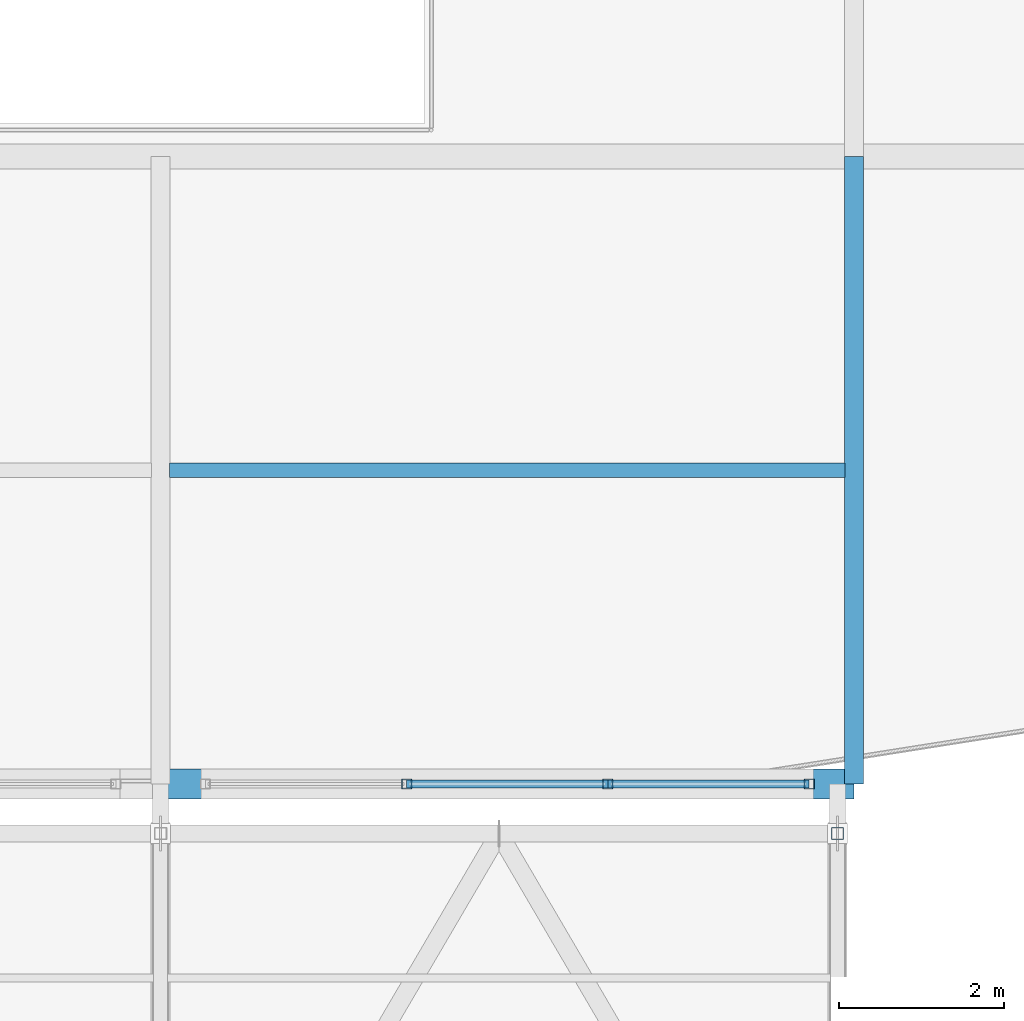
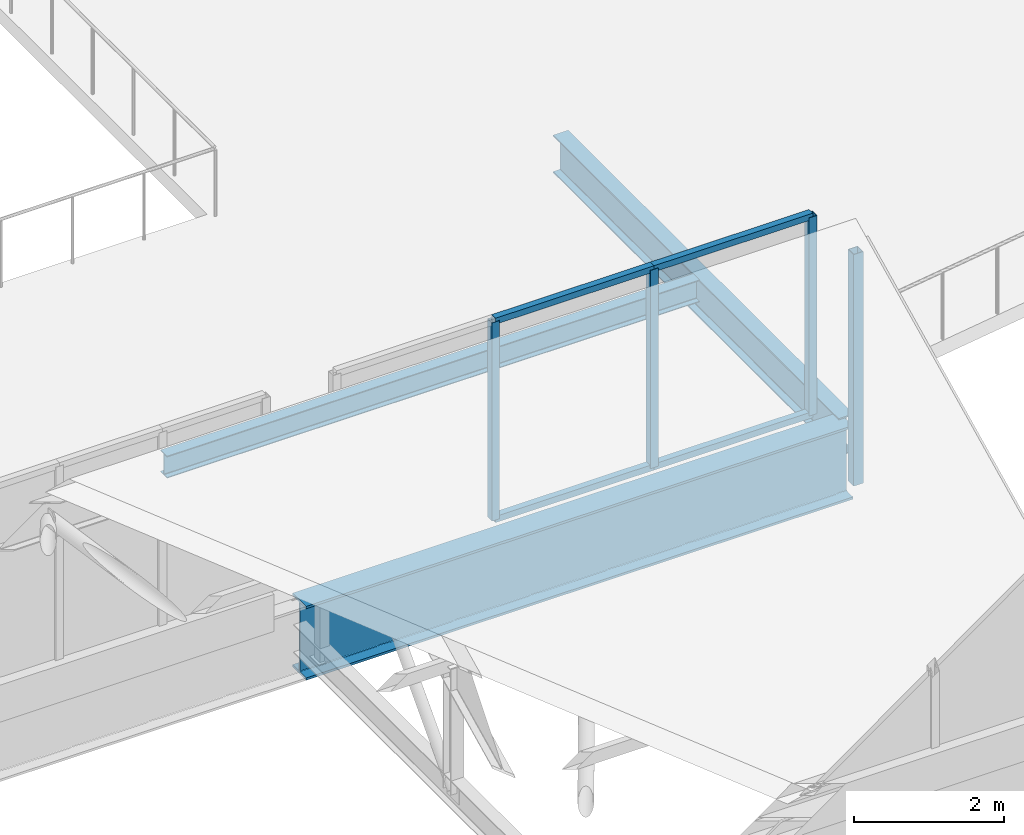
# One storey, part 38 of 57: 8 members, 3 beams, 1 element without a shape of its own.
"""IFC4 building model written with IfcOpenShell, lengths in metres."""

from ifc_helpers import new_model, si_unit, direction, frame, origin, origin_2d, place, context, subcontext, project, spatial, hollow_rectangle, i_section, extrude, material, material_profile, profile_set, type_object, element, aggregate, save


model = new_model("IFC4")

# Units and contexts
model_context = context("Model", 3, precision=1e-05, world=origin(), true_north=direction((0.0, 1.0)))
body_context = subcontext(model_context, "Body", "Model", "MODEL_VIEW")
ifc_project = project(units=[si_unit("LENGTHUNIT", "METRE"), si_unit("AREAUNIT", "SQUARE_METRE"), si_unit("VOLUMEUNIT", "CUBIC_METRE"), si_unit("PLANEANGLEUNIT", "RADIAN"), si_unit("MASSUNIT", "GRAM", prefix="KILO")], contexts=[model_context])

# Site, building, storey
site_placement = place(None, origin())
site = spatial("IfcSite", under=ifc_project, at=site_placement, CompositionType="ELEMENT")
building_placement = place(site_placement, origin())
building = spatial("IfcBuilding", under=site, at=building_placement, Name="Zuvorla Pavilion Media Centre", CompositionType="ELEMENT")
storey_placement = place(building_placement, frame((0.0, 0.0, 18.0)))
storey = spatial("IfcBuildingStorey", under=building, at=storey_placement, Name="L04", CompositionType="ELEMENT", Elevation=18.0)

# Beams
ifc_material_1 = material(Name="Steel S355", Category="steel")
ifc_material_profile_1 = material_profile(ifc_material_1, i_section(OverallWidth=0.360107421875, OverallDepth=1.199951171875, WebThickness=0.02001953125, FlangeThickness=0.0380859375, FilletRadius=0.02392578125, at=origin_2d()), Name="PG 1200x360x38")
ifc_profile_set_1 = profile_set([ifc_material_profile_1], Name="Steel S355")
beam_type_1 = type_object("IfcBeamType", Name="BM-PG1200", PredefinedType="BEAM", material=ifc_profile_set_1)
beam_1_placement = place(storey_placement, frame((150.800048828125, 44.0, -0.887939453125), z_axis=(1.0, 0.0, 0.0), x_axis=(0.0, 1.0, 0.0)))
element("IfcBeam", 1, at=beam_1_placement, inside=storey, type_object=beam_type_1, Name="L04 beam B01 1831", PredefinedType="BEAM", context=body_context, shape_type="SweptSolid", body=[
    extrude(i_section(OverallWidth=0.360107421875, OverallDepth=1.199951171875, WebThickness=0.02001953125, FlangeThickness=0.0380859375, FilletRadius=0.02392578125, at=origin_2d()), origin(), (0.0, 0.0, 1.0), 8.39990234375),
])
ifc_material_profile_2 = material_profile(ifc_material_1, i_section(OverallWidth=0.172119140625, OverallDepth=0.35791015625, WebThickness=0.008056640625, FlangeThickness=0.012939453125, FilletRadius=0.01025390625, at=origin_2d()), Name="UB 356x171x57")
ifc_profile_set_2 = profile_set([ifc_material_profile_2], Name="Steel S355")
beam_type_2 = type_object("IfcBeamType", Name="BM-UB356", PredefinedType="JOIST", material=ifc_profile_set_2)
beam_2_placement = place(storey_placement, frame((150.909423828125, 47.800048828125, -0.427001953125), z_axis=(1.0, 0.0, 0.0), x_axis=(0.0, 1.0, 0.0)))
element("IfcBeam", 2, at=beam_2_placement, inside=storey, type_object=beam_type_2, Name="L04 joist J03 1533", PredefinedType="JOIST", context=body_context, shape_type="SweptSolid", body=[
    extrude(i_section(OverallWidth=0.172119140625, OverallDepth=0.35791015625, WebThickness=0.008056640625, FlangeThickness=0.012939453125, FilletRadius=0.01025390625, at=origin_2d()), origin(), (0.0, 0.0, 1.0), 8.18115234375),
])
ifc_material_profile_3 = material_profile(ifc_material_1, i_section(OverallWidth=0.22900390625, OverallDepth=0.6123046875, WebThickness=0.011962890625, FlangeThickness=0.01953125, FilletRadius=0.0126953125, at=origin_2d()), Name="UB 610x229x125")
ifc_profile_set_3 = profile_set([ifc_material_profile_3], Name="Steel S355")
beam_type_3 = type_object("IfcBeamType", Name="BM-UB610", PredefinedType="BEAM", material=ifc_profile_set_3)
beam_3_placement = place(storey_placement, frame((159.199951171875, 44.0, -0.55419921875), z_axis=(0.0, 1.0, 0.0), x_axis=(-1.0, 0.0, 0.0)))
element("IfcBeam", 3, at=beam_3_placement, inside=storey, type_object=beam_type_3, Name="L04 beam B07 1466", PredefinedType="BEAM", context=body_context, shape_type="SweptSolid", body=[
    extrude(i_section(OverallWidth=0.22900390625, OverallDepth=0.6123046875, WebThickness=0.011962890625, FlangeThickness=0.01953125, FilletRadius=0.0126953125, at=origin_2d()), origin(), (0.0, 0.0, 1.0), 7.60009765625),
])

# Curtain wall, members
ifc_material_2 = material(Name="Unitised anodised aluminium and solar glass curtain wall", Category="aluminium")
curtain_wall_type = type_object("IfcCurtainWallType", Name="CW-SYS-97", PredefinedType="USERDEFINED", material=ifc_material_2)
curtain_wall_placement = place(storey_placement, origin())
curtain_wall = element("IfcCurtainWall", 4, at=curtain_wall_placement, inside=storey, type_object=curtain_wall_type, Name="L04 curtain wall CW97 251", ObjectType="CURTAIN WALL", PredefinedType="USERDEFINED")
ifc_material_3 = material(Name="Anodised aluminium 6063-T6", Category="aluminium")
ifc_material_profile_4 = material_profile(ifc_material_3, hollow_rectangle(XDim=0.1201171875, YDim=0.1201171875, WallThickness=0.0048828125, at=origin_2d()), Name="ALU MULL 120x120")
ifc_profile_set_4 = profile_set([ifc_material_profile_4], Name="Anodised aluminium 6063-T6")
member_type_1 = type_object("IfcMemberType", Name="CW-MULL-120", PredefinedType="MULLION", material=ifc_profile_set_4)
member_1_placement = place(storey_placement, frame((153.781005859375, 44.0, 0.0), z_axis=(0.0, 0.0, 1.0), x_axis=(1.0, 0.0, 0.0)))
member_1 = element("IfcMember", 5, at=member_1_placement, type_object=member_type_1, Name="CW97 mullion 2", PredefinedType="MULLION", context=body_context, shape_type="SweptSolid", body=[
    extrude(hollow_rectangle(XDim=0.1201171875, YDim=0.1201171875, WallThickness=0.0048828125, at=origin_2d()), origin(), (0.0, 0.0, 1.0), 3.219970703125),
])
member_2_placement = place(storey_placement, frame((156.218994140625, 44.0, 0.0), z_axis=(0.0, 0.0, 1.0), x_axis=(1.0, 0.0, 0.0)))
member_2 = element("IfcMember", 6, at=member_2_placement, type_object=member_type_1, Name="CW97 mullion 3", PredefinedType="MULLION", context=body_context, shape_type="SweptSolid", body=[
    extrude(hollow_rectangle(XDim=0.1201171875, YDim=0.1201171875, WallThickness=0.0048828125, at=origin_2d()), origin(), (0.0, 0.0, 1.0), 3.219970703125),
])
member_3_placement = place(storey_placement, frame((158.6572265625, 44.0, 0.0), z_axis=(0.0, 0.0, 1.0), x_axis=(1.0, 0.0, 0.0)))
member_3 = element("IfcMember", 7, at=member_3_placement, type_object=member_type_1, Name="CW97 mullion 4", PredefinedType="MULLION", context=body_context, shape_type="SweptSolid", body=[
    extrude(hollow_rectangle(XDim=0.1201171875, YDim=0.1201171875, WallThickness=0.0048828125, at=origin_2d()), origin(), (0.0, 0.0, 1.0), 3.219970703125),
])
ifc_material_profile_5 = material_profile(ifc_material_3, hollow_rectangle(XDim=0.10009765625, YDim=0.10009765625, WallThickness=0.00439453125, at=origin_2d()), Name="ALU TRAN 100x100")
ifc_profile_set_5 = profile_set([ifc_material_profile_5], Name="Anodised aluminium 6063-T6")
member_type_2 = type_object("IfcMemberType", Name="CW-TRAN-100", PredefinedType="USERDEFINED", material=ifc_profile_set_5)
member_4_placement = place(storey_placement, frame((153.781005859375, 44.0, 0.0), z_axis=(1.0, 0.0, 0.0), x_axis=(0.0, 1.0, 0.0)))
member_4 = element("IfcMember", 8, at=member_4_placement, type_object=member_type_2, Name="CW97 transom 2.1", ObjectType="TRANSOM", PredefinedType="USERDEFINED", context=body_context, shape_type="SweptSolid", body=[
    extrude(hollow_rectangle(XDim=0.10009765625, YDim=0.10009765625, WallThickness=0.00439453125, at=origin_2d()), origin(), (0.0, 0.0, 1.0), 2.43798828125),
])
member_5_placement = place(storey_placement, frame((153.781005859375, 44.0, 3.219970703125), z_axis=(1.0, 0.0, 0.0), x_axis=(0.0, 1.0, 0.0)))
member_5 = element("IfcMember", 9, at=member_5_placement, type_object=member_type_2, Name="CW97 transom 2.2", ObjectType="TRANSOM", PredefinedType="USERDEFINED", context=body_context, shape_type="SweptSolid", body=[
    extrude(hollow_rectangle(XDim=0.10009765625, YDim=0.10009765625, WallThickness=0.00439453125, at=origin_2d()), origin(), (0.0, 0.0, 1.0), 2.43798828125),
])
member_6_placement = place(storey_placement, frame((156.218994140625, 44.0, 0.0), z_axis=(1.0, 0.0, 0.0), x_axis=(0.0, 1.0, 0.0)))
member_6 = element("IfcMember", 10, at=member_6_placement, type_object=member_type_2, Name="CW97 transom 3.1", ObjectType="TRANSOM", PredefinedType="USERDEFINED", context=body_context, shape_type="SweptSolid", body=[
    extrude(hollow_rectangle(XDim=0.10009765625, YDim=0.10009765625, WallThickness=0.00439453125, at=origin_2d()), origin(), (0.0, 0.0, 1.0), 2.438232421875),
])
member_7_placement = place(storey_placement, frame((156.218994140625, 44.0, 3.219970703125), z_axis=(1.0, 0.0, 0.0), x_axis=(0.0, 1.0, 0.0)))
member_7 = element("IfcMember", 11, at=member_7_placement, type_object=member_type_2, Name="CW97 transom 3.2", ObjectType="TRANSOM", PredefinedType="USERDEFINED", context=body_context, shape_type="SweptSolid", body=[
    extrude(hollow_rectangle(XDim=0.10009765625, YDim=0.10009765625, WallThickness=0.00439453125, at=origin_2d()), origin(), (0.0, 0.0, 1.0), 2.438232421875),
])
aggregate(curtain_wall, [member_1, member_2, member_3, member_4, member_5, member_6, member_7])

# Member
ifc_material_profile_6 = material_profile(ifc_material_1, hollow_rectangle(XDim=0.14990234375, YDim=0.14990234375, WallThickness=0.008056640625, at=origin_2d()), Name="SHS 150x150x8")
ifc_profile_set_6 = profile_set([ifc_material_profile_6], Name="Steel S355")
member_type_3 = type_object("IfcMemberType", Name="MEM-STR-SHS150", PredefinedType="STRUT", material=ifc_profile_set_6)
member_8_placement = place(storey_placement, frame((159.0, 43.39990234375, -0.8798828125), z_axis=(0.0, 0.0, 1.0), x_axis=(1.0, 0.0, 0.0)))
element("IfcMember", 12, at=member_8_placement, inside=storey, type_object=member_type_3, Name="L04 vertical strut TS01 765", PredefinedType="STRUT", context=body_context, shape_type="SweptSolid", body=[
    extrude(hollow_rectangle(XDim=0.14990234375, YDim=0.14990234375, WallThickness=0.008056640625, at=origin_2d()), origin(), (0.0, 0.0, 1.0), 3.761962890625),
])

save(model, "model.ifc")
